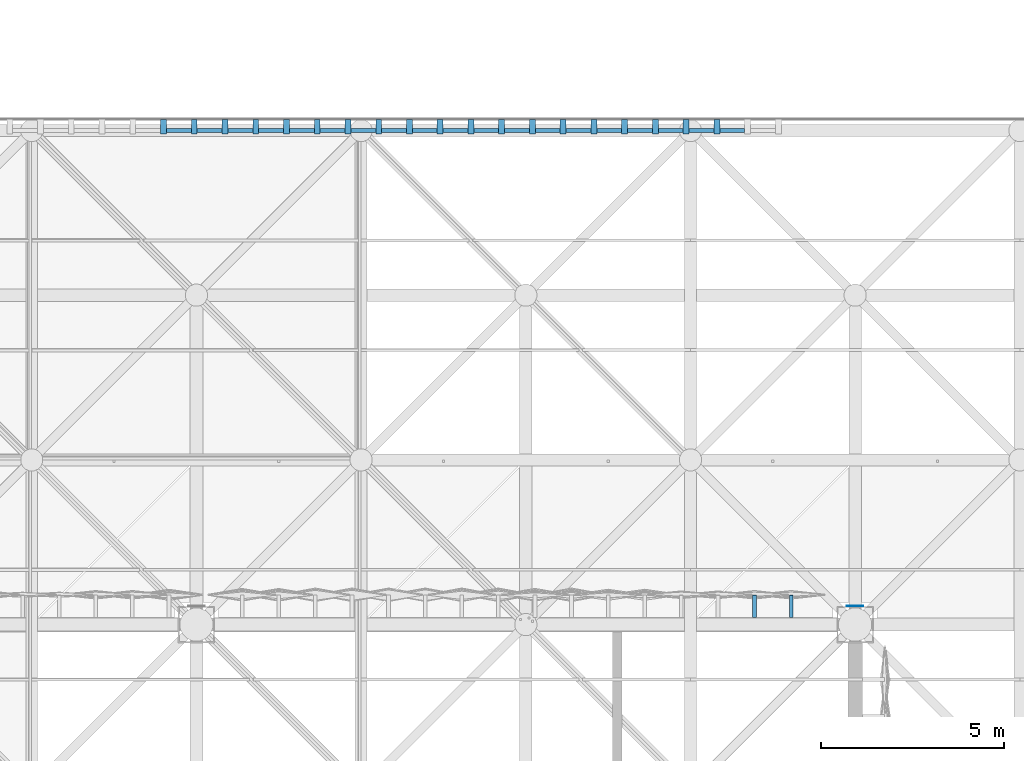
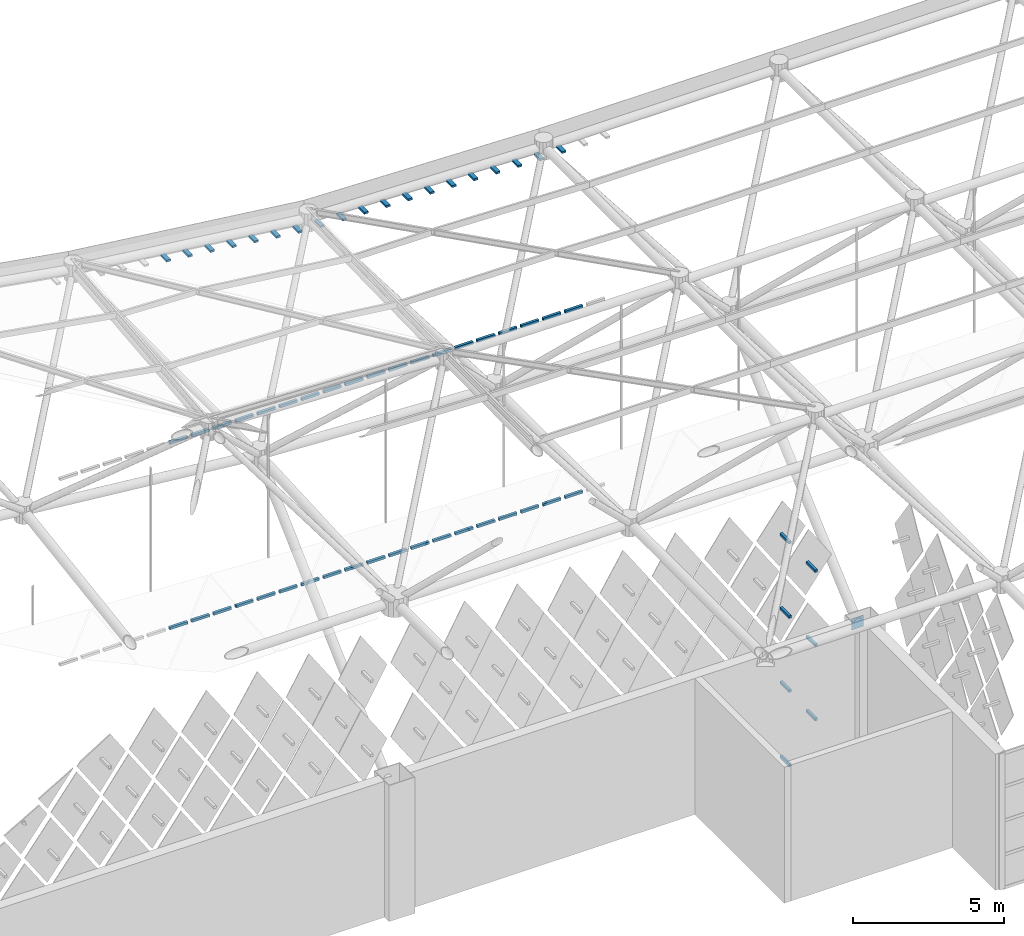
# One storey, part 388 of 437: 65 discrete accessories.
"""IFC4 building model written with IfcOpenShell, lengths in metres."""

from ifc_helpers import new_model, si_unit, direction, frame, origin, origin_2d, place, context, subcontext, project, spatial, polyline, rectangle, hollow_rectangle, outline, extrude, material, layer, layer_set, material_profile, profile_set, type_object, element, save


model = new_model("IFC4")

# Units and contexts
model_context = context("Model", 3, precision=1e-05, world=origin(), true_north=direction((0.0, 1.0)))
body_context = subcontext(model_context, "Body", "Model", "MODEL_VIEW")
ifc_project = project(units=[si_unit("LENGTHUNIT", "METRE"), si_unit("AREAUNIT", "SQUARE_METRE"), si_unit("VOLUMEUNIT", "CUBIC_METRE"), si_unit("PLANEANGLEUNIT", "RADIAN"), si_unit("MASSUNIT", "GRAM", prefix="KILO")], contexts=[model_context])

# Site, building, storey
site_placement = place(None, origin())
site = spatial("IfcSite", under=ifc_project, at=site_placement, CompositionType="ELEMENT")
building_placement = place(site_placement, origin())
building = spatial("IfcBuilding", under=site, at=building_placement, Name="Opaline Strait Convention Centre", CompositionType="ELEMENT")
storey_placement = place(building_placement, frame((0.0, 0.0, 11.5)))
storey = spatial("IfcBuildingStorey", under=building, at=storey_placement, Name="L02", CompositionType="ELEMENT", Elevation=11.5)

# Discrete accessories
ifc_material_1 = material(Name="Steel Q355B", Category="steel")
discrete_accessory_type_1 = type_object("IfcDiscreteAccessoryType", Name="Blade head bracket 160x400x80", PredefinedType="BRACKET", material=ifc_material_1)
for number, where, z_axis, x_axis, name in (
    (1, (134.10009765625, 166.60009765625, 18.405029296875), (0.0, 0.0, 1.0), (1.0, 0.0, 0.0), "Blade head bracket W06"),
    (2, (134.93994140625, 166.60009765625, 18.303466796875), (0.0, 0.0, 1.0), (1.0, 0.0, 0.0), "Blade head bracket W07"),
    (3, (135.780029296875, 166.60009765625, 18.201904296875), (0.0, 0.0, 1.0), (1.0, 0.0, 0.0), "Blade head bracket W08"),
    (4, (136.6201171875, 166.60009765625, 18.1005859375), (0.0, 0.0, 1.0), (1.0, 0.0, 0.0), "Blade head bracket W09"),
    (5, (137.4599609375, 166.60009765625, 17.9990234375), (0.0, 0.0, 1.0), (1.0, 0.0, 0.0), "Blade head bracket W10"),
    (6, (138.300048828125, 166.60009765625, 17.897705078125), (0.0, 0.0, 1.0), (1.0, 0.0, 0.0), "Blade head bracket W11"),
    (7, (139.139892578125, 166.60009765625, 17.796142578125), (0.0, 0.0, 1.0), (1.0, 0.0, 0.0), "Blade head bracket W12"),
    (8, (139.97998046875, 166.60009765625, 17.7392578125), (0.0, 0.0, 1.0), (1.0, 0.0, 0.0), "Blade head bracket W13"),
    (9, (140.820068359375, 166.60009765625, 17.715576171875), (0.0, 0.0, 1.0), (1.0, 0.0, 0.0), "Blade head bracket W14"),
    (10, (141.659912109375, 166.60009765625, 17.69189453125), (0.0, 0.0, 1.0), (1.0, 0.0, 0.0), "Blade head bracket W15"),
    (11, (142.5, 166.60009765625, 17.66845703125), (0.0, 0.0, 1.0), (1.0, 0.0, 0.0), "Blade head bracket W16"),
    (12, (143.340087890625, 166.60009765625, 17.644775390625), (0.0, 0.0, 1.0), (1.0, 0.0, 0.0), "Blade head bracket W17"),
    (13, (144.179931640625, 166.60009765625, 17.621337890625), (0.0, 0.0, 1.0), (1.0, 0.0, 0.0), "Blade head bracket W18"),
    (14, (145.02001953125, 166.60009765625, 17.59765625), (0.0, 0.0, 1.0), (1.0, 0.0, 0.0), "Blade head bracket W19"),
    (15, (145.860107421875, 166.60009765625, 17.573974609375), (0.0, 0.0, 1.0), (1.0, 0.0, 0.0), "Blade head bracket W20"),
    (16, (146.699951171875, 166.60009765625, 17.550537109375), (0.0, 0.0, 1.0), (1.0, 0.0, 0.0), "Blade head bracket W21"),
    (17, (147.5400390625, 166.60009765625, 17.52685546875), (0.0, 0.0, 1.0), (1.0, 0.0, 0.0), "Blade head bracket W22"),
    (18, (148.3798828125, 166.60009765625, 17.50341796875), (0.0, 0.0, 1.0), (1.0, 0.0, 0.0), "Blade head bracket W23"),
    (19, (149.219970703125, 166.60009765625, 17.5), (0.0, 0.0, 1.0), (1.0, 0.0, 0.0), "Blade head bracket W24"),
):
    element("IfcDiscreteAccessory", number, at=place(storey_placement, frame(where, z_axis=z_axis, x_axis=x_axis)), inside=storey, type_object=discrete_accessory_type_1, Name=name, PredefinedType="BRACKET", context=body_context, shape_type="SweptSolid", body=[
        extrude(rectangle(XDim=0.159912109375, YDim=0.39990234375, at=origin_2d()), origin(), (0.0, 0.0, 1.0), 0.080078125),
    ])
ifc_material_profile = material_profile(ifc_material_1, hollow_rectangle(XDim=0.10009765625, YDim=0.10009765625, WallThickness=0.006103515625, at=origin_2d()), Name="RHS 100x100x6")
ifc_profile_set = profile_set([ifc_material_profile], Name="Steel Q355B")
discrete_accessory_type_2 = type_object("IfcDiscreteAccessoryType", Name="Blade rail RHS 100x100x6", PredefinedType="BRACKET", material=ifc_profile_set)
discrete_accessory_1_placement = place(storey_placement, frame((134.179931640625, 166.5, 3.5), z_axis=(1.0, 0.0, 0.0), x_axis=(0.0, 1.0, 0.0)))
element("IfcDiscreteAccessory", 20, at=discrete_accessory_1_placement, inside=storey, type_object=discrete_accessory_type_2, Name="Blade rail 2 W", PredefinedType="BRACKET", context=body_context, shape_type="SweptSolid", body=[
    extrude(hollow_rectangle(XDim=0.10009765625, YDim=0.10009765625, WallThickness=0.006103515625, at=origin_2d()), origin(), (0.0, 0.0, 1.0), 0.68017578125),
])
for number, where, z_axis, x_axis, name in (
    (21, (135.02001953125, 166.5, 3.5), (1.0, 0.0, 0.0), (0.0, 1.0, 0.0), "Blade rail 2 W"),
    (22, (135.860107421875, 166.5, 3.5), (1.0, 0.0, 0.0), (0.0, 1.0, 0.0), "Blade rail 2 W"),
    (23, (136.699951171875, 166.5, 3.5), (1.0, 0.0, 0.0), (0.0, 1.0, 0.0), "Blade rail 2 W"),
    (24, (137.5400390625, 166.5, 3.5), (1.0, 0.0, 0.0), (0.0, 1.0, 0.0), "Blade rail 2 W"),
):
    element("IfcDiscreteAccessory", number, at=place(storey_placement, frame(where, z_axis=z_axis, x_axis=x_axis)), inside=storey, type_object=discrete_accessory_type_2, Name=name, PredefinedType="BRACKET", context=body_context, shape_type="SweptSolid", body=[
        extrude(hollow_rectangle(XDim=0.10009765625, YDim=0.10009765625, WallThickness=0.006103515625, at=origin_2d()), origin(), (0.0, 0.0, 1.0), 0.679931640625),
    ])
discrete_accessory_2_placement = place(storey_placement, frame((138.3798828125, 166.5, 3.5), z_axis=(1.0, 0.0, 0.0), x_axis=(0.0, 1.0, 0.0)))
element("IfcDiscreteAccessory", 25, at=discrete_accessory_2_placement, inside=storey, type_object=discrete_accessory_type_2, Name="Blade rail 2 W", PredefinedType="BRACKET", context=body_context, shape_type="SweptSolid", body=[
    extrude(hollow_rectangle(XDim=0.10009765625, YDim=0.10009765625, WallThickness=0.006103515625, at=origin_2d()), origin(), (0.0, 0.0, 1.0), 0.68017578125),
])
for number, where, z_axis, x_axis, name in (
    (26, (139.219970703125, 166.5, 3.5), (1.0, 0.0, 0.0), (0.0, 1.0, 0.0), "Blade rail 2 W"),
    (27, (140.06005859375, 166.5, 3.5), (1.0, 0.0, 0.0), (0.0, 1.0, 0.0), "Blade rail 2 W"),
):
    element("IfcDiscreteAccessory", number, at=place(storey_placement, frame(where, z_axis=z_axis, x_axis=x_axis)), inside=storey, type_object=discrete_accessory_type_2, Name=name, PredefinedType="BRACKET", context=body_context, shape_type="SweptSolid", body=[
        extrude(hollow_rectangle(XDim=0.10009765625, YDim=0.10009765625, WallThickness=0.006103515625, at=origin_2d()), origin(), (0.0, 0.0, 1.0), 0.679931640625),
    ])
discrete_accessory_3_placement = place(storey_placement, frame((140.89990234375, 166.5, 3.5), z_axis=(1.0, 0.0, 0.0), x_axis=(0.0, 1.0, 0.0)))
element("IfcDiscreteAccessory", 28, at=discrete_accessory_3_placement, inside=storey, type_object=discrete_accessory_type_2, Name="Blade rail 2 W", PredefinedType="BRACKET", context=body_context, shape_type="SweptSolid", body=[
    extrude(hollow_rectangle(XDim=0.10009765625, YDim=0.10009765625, WallThickness=0.006103515625, at=origin_2d()), origin(), (0.0, 0.0, 1.0), 0.68017578125),
])
for number, where, z_axis, x_axis, name in (
    (29, (141.739990234375, 166.5, 3.5), (1.0, 0.0, 0.0), (0.0, 1.0, 0.0), "Blade rail 2 W"),
    (30, (142.580078125, 166.5, 3.5), (1.0, 0.0, 0.0), (0.0, 1.0, 0.0), "Blade rail 2 W"),
):
    element("IfcDiscreteAccessory", number, at=place(storey_placement, frame(where, z_axis=z_axis, x_axis=x_axis)), inside=storey, type_object=discrete_accessory_type_2, Name=name, PredefinedType="BRACKET", context=body_context, shape_type="SweptSolid", body=[
        extrude(hollow_rectangle(XDim=0.10009765625, YDim=0.10009765625, WallThickness=0.006103515625, at=origin_2d()), origin(), (0.0, 0.0, 1.0), 0.679931640625),
    ])
discrete_accessory_4_placement = place(storey_placement, frame((143.419921875, 166.5, 3.5), z_axis=(1.0, 0.0, 0.0), x_axis=(0.0, 1.0, 0.0)))
element("IfcDiscreteAccessory", 31, at=discrete_accessory_4_placement, inside=storey, type_object=discrete_accessory_type_2, Name="Blade rail 2 W", PredefinedType="BRACKET", context=body_context, shape_type="SweptSolid", body=[
    extrude(hollow_rectangle(XDim=0.10009765625, YDim=0.10009765625, WallThickness=0.006103515625, at=origin_2d()), origin(), (0.0, 0.0, 1.0), 0.68017578125),
])
for number, where, z_axis, x_axis, name in (
    (32, (144.260009765625, 166.5, 3.5), (1.0, 0.0, 0.0), (0.0, 1.0, 0.0), "Blade rail 2 W"),
    (33, (145.10009765625, 166.5, 3.5), (1.0, 0.0, 0.0), (0.0, 1.0, 0.0), "Blade rail 2 W"),
):
    element("IfcDiscreteAccessory", number, at=place(storey_placement, frame(where, z_axis=z_axis, x_axis=x_axis)), inside=storey, type_object=discrete_accessory_type_2, Name=name, PredefinedType="BRACKET", context=body_context, shape_type="SweptSolid", body=[
        extrude(hollow_rectangle(XDim=0.10009765625, YDim=0.10009765625, WallThickness=0.006103515625, at=origin_2d()), origin(), (0.0, 0.0, 1.0), 0.679931640625),
    ])
discrete_accessory_5_placement = place(storey_placement, frame((145.93994140625, 166.5, 3.5), z_axis=(1.0, 0.0, 0.0), x_axis=(0.0, 1.0, 0.0)))
element("IfcDiscreteAccessory", 34, at=discrete_accessory_5_placement, inside=storey, type_object=discrete_accessory_type_2, Name="Blade rail 2 W", PredefinedType="BRACKET", context=body_context, shape_type="SweptSolid", body=[
    extrude(hollow_rectangle(XDim=0.10009765625, YDim=0.10009765625, WallThickness=0.006103515625, at=origin_2d()), origin(), (0.0, 0.0, 1.0), 0.68017578125),
])
for number, where, z_axis, x_axis, name in (
    (35, (146.780029296875, 166.5, 3.5), (1.0, 0.0, 0.0), (0.0, 1.0, 0.0), "Blade rail 2 W"),
    (36, (147.6201171875, 166.5, 3.5), (1.0, 0.0, 0.0), (0.0, 1.0, 0.0), "Blade rail 2 W"),
    (37, (148.4599609375, 166.5, 3.5), (1.0, 0.0, 0.0), (0.0, 1.0, 0.0), "Blade rail 2 W"),
    (38, (149.300048828125, 166.5, 3.5), (1.0, 0.0, 0.0), (0.0, 1.0, 0.0), "Blade rail 2 W"),
):
    element("IfcDiscreteAccessory", number, at=place(storey_placement, frame(where, z_axis=z_axis, x_axis=x_axis)), inside=storey, type_object=discrete_accessory_type_2, Name=name, PredefinedType="BRACKET", context=body_context, shape_type="SweptSolid", body=[
        extrude(hollow_rectangle(XDim=0.10009765625, YDim=0.10009765625, WallThickness=0.006103515625, at=origin_2d()), origin(), (0.0, 0.0, 1.0), 0.679931640625),
    ])
discrete_accessory_6_placement = place(storey_placement, frame((134.179931640625, 166.5, 11.0), z_axis=(1.0, 0.0, 0.0), x_axis=(0.0, 1.0, 0.0)))
element("IfcDiscreteAccessory", 39, at=discrete_accessory_6_placement, inside=storey, type_object=discrete_accessory_type_2, Name="Blade rail 3 W", PredefinedType="BRACKET", context=body_context, shape_type="SweptSolid", body=[
    extrude(hollow_rectangle(XDim=0.10009765625, YDim=0.10009765625, WallThickness=0.006103515625, at=origin_2d()), origin(), (0.0, 0.0, 1.0), 0.68017578125),
])
for number, where, z_axis, x_axis, name in (
    (40, (135.02001953125, 166.5, 11.0), (1.0, 0.0, 0.0), (0.0, 1.0, 0.0), "Blade rail 3 W"),
    (41, (135.860107421875, 166.5, 11.0), (1.0, 0.0, 0.0), (0.0, 1.0, 0.0), "Blade rail 3 W"),
    (42, (136.699951171875, 166.5, 11.0), (1.0, 0.0, 0.0), (0.0, 1.0, 0.0), "Blade rail 3 W"),
    (43, (137.5400390625, 166.5, 11.0), (1.0, 0.0, 0.0), (0.0, 1.0, 0.0), "Blade rail 3 W"),
):
    element("IfcDiscreteAccessory", number, at=place(storey_placement, frame(where, z_axis=z_axis, x_axis=x_axis)), inside=storey, type_object=discrete_accessory_type_2, Name=name, PredefinedType="BRACKET", context=body_context, shape_type="SweptSolid", body=[
        extrude(hollow_rectangle(XDim=0.10009765625, YDim=0.10009765625, WallThickness=0.006103515625, at=origin_2d()), origin(), (0.0, 0.0, 1.0), 0.679931640625),
    ])
discrete_accessory_7_placement = place(storey_placement, frame((138.3798828125, 166.5, 11.0), z_axis=(1.0, 0.0, 0.0), x_axis=(0.0, 1.0, 0.0)))
element("IfcDiscreteAccessory", 44, at=discrete_accessory_7_placement, inside=storey, type_object=discrete_accessory_type_2, Name="Blade rail 3 W", PredefinedType="BRACKET", context=body_context, shape_type="SweptSolid", body=[
    extrude(hollow_rectangle(XDim=0.10009765625, YDim=0.10009765625, WallThickness=0.006103515625, at=origin_2d()), origin(), (0.0, 0.0, 1.0), 0.68017578125),
])
for number, where, z_axis, x_axis, name in (
    (45, (139.219970703125, 166.5, 11.0), (1.0, 0.0, 0.0), (0.0, 1.0, 0.0), "Blade rail 3 W"),
    (46, (140.06005859375, 166.5, 11.0), (1.0, 0.0, 0.0), (0.0, 1.0, 0.0), "Blade rail 3 W"),
):
    element("IfcDiscreteAccessory", number, at=place(storey_placement, frame(where, z_axis=z_axis, x_axis=x_axis)), inside=storey, type_object=discrete_accessory_type_2, Name=name, PredefinedType="BRACKET", context=body_context, shape_type="SweptSolid", body=[
        extrude(hollow_rectangle(XDim=0.10009765625, YDim=0.10009765625, WallThickness=0.006103515625, at=origin_2d()), origin(), (0.0, 0.0, 1.0), 0.679931640625),
    ])
discrete_accessory_8_placement = place(storey_placement, frame((140.89990234375, 166.5, 11.0), z_axis=(1.0, 0.0, 0.0), x_axis=(0.0, 1.0, 0.0)))
element("IfcDiscreteAccessory", 47, at=discrete_accessory_8_placement, inside=storey, type_object=discrete_accessory_type_2, Name="Blade rail 3 W", PredefinedType="BRACKET", context=body_context, shape_type="SweptSolid", body=[
    extrude(hollow_rectangle(XDim=0.10009765625, YDim=0.10009765625, WallThickness=0.006103515625, at=origin_2d()), origin(), (0.0, 0.0, 1.0), 0.68017578125),
])
for number, where, z_axis, x_axis, name in (
    (48, (141.739990234375, 166.5, 11.0), (1.0, 0.0, 0.0), (0.0, 1.0, 0.0), "Blade rail 3 W"),
    (49, (142.580078125, 166.5, 11.0), (1.0, 0.0, 0.0), (0.0, 1.0, 0.0), "Blade rail 3 W"),
):
    element("IfcDiscreteAccessory", number, at=place(storey_placement, frame(where, z_axis=z_axis, x_axis=x_axis)), inside=storey, type_object=discrete_accessory_type_2, Name=name, PredefinedType="BRACKET", context=body_context, shape_type="SweptSolid", body=[
        extrude(hollow_rectangle(XDim=0.10009765625, YDim=0.10009765625, WallThickness=0.006103515625, at=origin_2d()), origin(), (0.0, 0.0, 1.0), 0.679931640625),
    ])
discrete_accessory_9_placement = place(storey_placement, frame((143.419921875, 166.5, 11.0), z_axis=(1.0, 0.0, 0.0), x_axis=(0.0, 1.0, 0.0)))
element("IfcDiscreteAccessory", 50, at=discrete_accessory_9_placement, inside=storey, type_object=discrete_accessory_type_2, Name="Blade rail 3 W", PredefinedType="BRACKET", context=body_context, shape_type="SweptSolid", body=[
    extrude(hollow_rectangle(XDim=0.10009765625, YDim=0.10009765625, WallThickness=0.006103515625, at=origin_2d()), origin(), (0.0, 0.0, 1.0), 0.68017578125),
])
for number, where, z_axis, x_axis, name in (
    (51, (144.260009765625, 166.5, 11.0), (1.0, 0.0, 0.0), (0.0, 1.0, 0.0), "Blade rail 3 W"),
    (52, (145.10009765625, 166.5, 11.0), (1.0, 0.0, 0.0), (0.0, 1.0, 0.0), "Blade rail 3 W"),
):
    element("IfcDiscreteAccessory", number, at=place(storey_placement, frame(where, z_axis=z_axis, x_axis=x_axis)), inside=storey, type_object=discrete_accessory_type_2, Name=name, PredefinedType="BRACKET", context=body_context, shape_type="SweptSolid", body=[
        extrude(hollow_rectangle(XDim=0.10009765625, YDim=0.10009765625, WallThickness=0.006103515625, at=origin_2d()), origin(), (0.0, 0.0, 1.0), 0.679931640625),
    ])
discrete_accessory_10_placement = place(storey_placement, frame((145.93994140625, 166.5, 11.0), z_axis=(1.0, 0.0, 0.0), x_axis=(0.0, 1.0, 0.0)))
element("IfcDiscreteAccessory", 53, at=discrete_accessory_10_placement, inside=storey, type_object=discrete_accessory_type_2, Name="Blade rail 3 W", PredefinedType="BRACKET", context=body_context, shape_type="SweptSolid", body=[
    extrude(hollow_rectangle(XDim=0.10009765625, YDim=0.10009765625, WallThickness=0.006103515625, at=origin_2d()), origin(), (0.0, 0.0, 1.0), 0.68017578125),
])
for number, where, z_axis, x_axis, name in (
    (54, (146.780029296875, 166.5, 11.0), (1.0, 0.0, 0.0), (0.0, 1.0, 0.0), "Blade rail 3 W"),
    (55, (147.6201171875, 166.5, 11.0), (1.0, 0.0, 0.0), (0.0, 1.0, 0.0), "Blade rail 3 W"),
    (56, (148.4599609375, 166.5, 11.0), (1.0, 0.0, 0.0), (0.0, 1.0, 0.0), "Blade rail 3 W"),
    (57, (149.300048828125, 166.5, 11.0), (1.0, 0.0, 0.0), (0.0, 1.0, 0.0), "Blade rail 3 W"),
):
    element("IfcDiscreteAccessory", number, at=place(storey_placement, frame(where, z_axis=z_axis, x_axis=x_axis)), inside=storey, type_object=discrete_accessory_type_2, Name=name, PredefinedType="BRACKET", context=body_context, shape_type="SweptSolid", body=[
        extrude(hollow_rectangle(XDim=0.10009765625, YDim=0.10009765625, WallThickness=0.006103515625, at=origin_2d()), origin(), (0.0, 0.0, 1.0), 0.679931640625),
    ])
ifc_material_2 = material(Name="Structural steel Q355B", Category="steel")
ifc_layer = layer(ifc_material_2, 0.01611328125)
ifc_layer_set = layer_set([ifc_layer], Name="Structural steel Q355B")
discrete_accessory_type_3 = type_object("IfcDiscreteAccessoryType", Name="Prop bearing plate 450 x 450 x 16", PredefinedType="ANCHORPLATE", material=ifc_layer_set)
discrete_accessory_11_placement = place(storey_placement, frame((0.0, 0.0, 4.7890625)))
element("IfcDiscreteAccessory", 58, at=discrete_accessory_11_placement, inside=storey, type_object=discrete_accessory_type_3, Name="Prop bearing plate 153/153 N", PredefinedType="ANCHORPLATE", context=body_context, shape_type="SweptSolid", body=[
    extrude(outline(polyline([(152.77490234375, 153.5), (153.22509765625, 153.5), (153.22509765625, 153.51611328125), (152.77490234375, 153.51611328125), (152.77490234375, 153.5)])), origin(), (0.0, 0.0, 1.0), 0.449951171875),
])
discrete_accessory_type_4 = type_object("IfcDiscreteAccessoryType", Name="Tile bracket 100x100 steel", PredefinedType="BRACKET", material=ifc_material_1)
discrete_accessory_12_placement = place(storey_placement, frame((150.300048828125, 153.199951171875, 0.39208984375), z_axis=(-1.0, 0.0, 0.0), x_axis=(0.0, -1.0, 0.0)))
element("IfcDiscreteAccessory", 59, at=discrete_accessory_12_placement, inside=storey, type_object=discrete_accessory_type_4, Name="Tile bracket XT07 N", PredefinedType="BRACKET", context=body_context, shape_type="SweptSolid", body=[
    extrude(outline(polyline([(0.0, -0.050048828125), (0.0, 0.050048828125), (-0.60302734375, 0.050048828125), (-0.596923828125, -0.050048828125), (0.0, -0.050048828125)])), origin(), (0.0, 0.0, 1.0), 0.10009765625),
])
for number, where, z_axis, x_axis, name in (
    (60, (151.300048828125, 153.199951171875, 1.89208984375), (-1.0, 0.0, 0.0), (0.0, -1.0, 0.0), "Tile bracket XT05 N"),
    (61, (150.300048828125, 153.199951171875, 3.39208984375), (-1.0, 0.0, 0.0), (0.0, -1.0, 0.0), "Tile bracket XT05 N"),
):
    element("IfcDiscreteAccessory", number, at=place(storey_placement, frame(where, z_axis=z_axis, x_axis=x_axis)), inside=storey, type_object=discrete_accessory_type_4, Name=name, PredefinedType="BRACKET", context=body_context, shape_type="SweptSolid", body=[
        extrude(outline(polyline([(0.0, -0.050048828125), (0.0, 0.050048828125), (-0.602294921875, 0.050048828125), (-0.597900390625, -0.050048828125), (0.0, -0.050048828125)])), origin(), (0.0, 0.0, 1.0), 0.10009765625),
    ])
for number, where, z_axis, x_axis, name in (
    (62, (151.300048828125, 153.199951171875, 4.89208984375), (-1.0, 0.0, 0.0), (0.0, -1.0, 0.0), "Tile bracket XT05 N"),
    (63, (150.300048828125, 153.199951171875, 6.39208984375), (-1.0, 0.0, 0.0), (0.0, -1.0, 0.0), "Tile bracket XT05 N"),
):
    element("IfcDiscreteAccessory", number, at=place(storey_placement, frame(where, z_axis=z_axis, x_axis=x_axis)), inside=storey, type_object=discrete_accessory_type_4, Name=name, PredefinedType="BRACKET", context=body_context, shape_type="SweptSolid", body=[
        extrude(outline(polyline([(0.0, -0.050048828125), (0.0, 0.050048828125), (-0.597900390625, 0.050048828125), (-0.602294921875, -0.050048828125), (0.0, -0.050048828125)])), origin(), (0.0, 0.0, 1.0), 0.10009765625),
    ])
for number, where, z_axis, x_axis, name in (
    (64, (151.300048828125, 153.199951171875, 7.89208984375), (-1.0, 0.0, 0.0), (0.0, -1.0, 0.0), "Tile bracket XT09 N"),
    (65, (150.300048828125, 153.199951171875, 9.39208984375), (-1.0, 0.0, 0.0), (0.0, -1.0, 0.0), "Tile bracket XT09 N"),
):
    element("IfcDiscreteAccessory", number, at=place(storey_placement, frame(where, z_axis=z_axis, x_axis=x_axis)), inside=storey, type_object=discrete_accessory_type_4, Name=name, PredefinedType="BRACKET", context=body_context, shape_type="SweptSolid", body=[
        extrude(outline(polyline([(0.0, -0.050048828125), (0.0, 0.050048828125), (-0.595947265625, 0.050048828125), (-0.60400390625, -0.050048828125), (0.0, -0.050048828125)])), origin(), (0.0, 0.0, 1.0), 0.10009765625),
    ])

save(model, "model.ifc")
